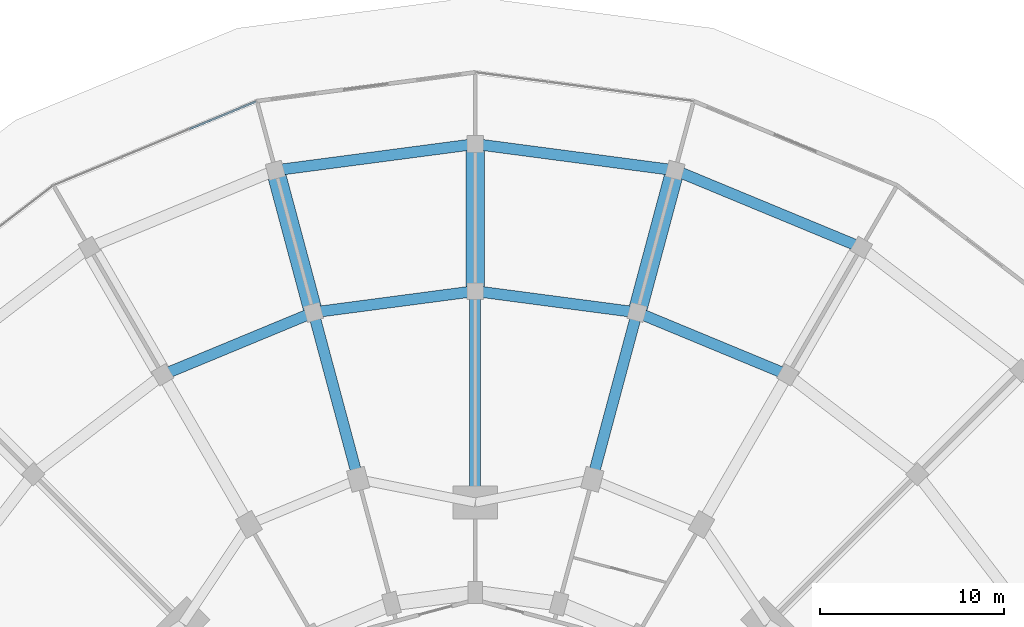
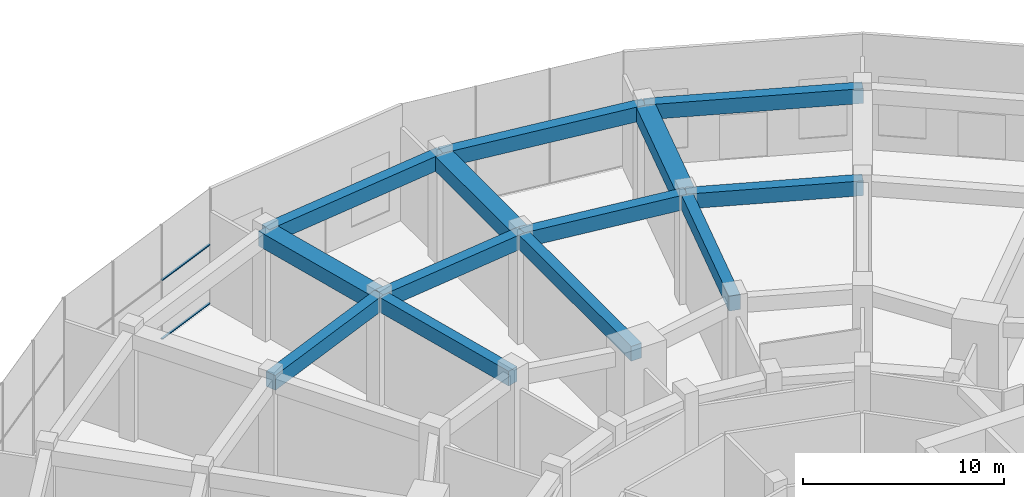
# One storey, part 14 of 31: 13 beams, 2 members, 1 element without a shape of its own.
"""IFC4 building model written with IfcOpenShell, lengths in metres."""

import ifcopenshell
import ifcopenshell.guid

model = None  # the IFC model being written
_history = None  # IfcOwnerHistory: only IFC2X3 demands one
_inside = {}  # id of a spatial element -> (the spatial element, [elements in it])
_under = {}  # id of a project, library or spatial element -> (it, [spatial elements below it])
_declared = {}  # id of a project -> (the project, [libraries it declares])
_typed = {}  # id of a type object -> (the type object, [elements of that type])
_made_of = {}  # id of a material, layer set ... -> (it, [elements and type objects made of it])


def new_model(schema):
    """Start an empty IFC model of exactly this schema.

    Asked for "IFC4X3", IfcOpenShell would pick the latest addendum, in which some entities
    have other attributes; the version numbers below select the first issue.
    IFC2X3 requires an IfcOwnerHistory on every rooted entity: one is made here for all.
    """
    global model, _history
    if schema == "IFC4X3":
        model = ifcopenshell.file(schema_version=(4, 3, 0, 0))
    else:
        model = ifcopenshell.file(schema=schema)
    _inside.clear()
    _under.clear()
    _declared.clear()
    _typed.clear()
    _made_of.clear()
    _history = None
    if model.schema == "IFC2X3":
        org = make("IfcOrganization", Name="unknown")
        user = make(
            "IfcPersonAndOrganization",
            ThePerson=make("IfcPerson", FamilyName="unknown"),
            TheOrganization=org,
        )
        app = make(
            "IfcApplication",
            ApplicationDeveloper=org,
            Version="unknown",
            ApplicationFullName="unknown",
            ApplicationIdentifier="unknown",
        )
        _history = make(
            "IfcOwnerHistory",
            OwningUser=user,
            OwningApplication=app,
            ChangeAction="ADDED",
            CreationDate=0,
        )
    return model


def make(cls, **values):
    """One entity of the class cls with the attributes given. An attribute that is None is left unset."""
    return model.create_entity(
        cls, **{name: value for name, value in values.items() if value is not None}
    )


def rooted(cls, **values):
    """An entity with a GlobalId (a new one), such as an element, a storey or a relation."""
    return make(cls, GlobalId=ifcopenshell.guid.new(), OwnerHistory=_history, **values)


def si_unit(unit_type, name, prefix=None):
    """IfcSIUnit, for example si_unit("LENGTHUNIT", "METRE", prefix="MILLI")."""
    return make("IfcSIUnit", UnitType=unit_type, Prefix=prefix, Name=name)


def assignment(units):
    """IfcUnitAssignment: the units of a project."""
    return None if units is None else make("IfcUnitAssignment", Units=units)


def point(xyz):
    """IfcCartesianPoint."""
    return None if xyz is None else make("IfcCartesianPoint", Coordinates=xyz)


def direction(xyz):
    """IfcDirection."""
    return None if xyz is None else make("IfcDirection", DirectionRatios=xyz)


def frame(location, z_axis=None, x_axis=None):
    """IfcAxis2Placement3D, a coordinate frame: its origin and axes. An axis left out is left unset."""
    return make(
        "IfcAxis2Placement3D",
        Location=point(location),
        Axis=direction(z_axis),
        RefDirection=direction(x_axis),
    )


def frame_2d(location, x_axis=None):
    """IfcAxis2Placement2D, a coordinate frame in the plane: its origin and x axis."""
    return make(
        "IfcAxis2Placement2D", Location=point(location), RefDirection=direction(x_axis)
    )


def origin():
    """The frame at (0, 0, 0) with its axes left unset."""
    return frame((0.0, 0.0, 0.0))


def origin_2d():
    """The frame at (0, 0) in the plane with its x axis left unset."""
    return frame_2d((0.0, 0.0))


def place(relative_to, where):
    """IfcLocalPlacement: puts the frame where relative to a parent placement (None: the world)."""
    return make(
        "IfcLocalPlacement", PlacementRelTo=relative_to, RelativePlacement=where
    )


def context(
    kind, dimensions, precision=None, world=None, true_north=None, identifier=None
):
    """IfcGeometricRepresentationContext, for example the 3D "Model" context."""
    return make(
        "IfcGeometricRepresentationContext",
        ContextIdentifier=identifier,
        ContextType=kind,
        CoordinateSpaceDimension=dimensions,
        Precision=precision,
        WorldCoordinateSystem=world,
        TrueNorth=true_north,
    )


def subcontext(parent, identifier, kind, view, scale=None):
    """IfcGeometricRepresentationSubContext, for example "Body" below "Model"."""
    return make(
        "IfcGeometricRepresentationSubContext",
        ContextIdentifier=identifier,
        ContextType=kind,
        ParentContext=parent,
        TargetScale=scale,
        TargetView=view,
    )


def project(units=None, contexts=None):
    """IfcProject with its units and contexts."""
    return rooted(
        "IfcProject",
        Name="project",
        RepresentationContexts=contexts,
        UnitsInContext=assignment(units),
    )


def spatial(cls, under=None, at=None, **own):
    """A site, building, storey or space (cls), placed at a placement, below another one or the project."""
    s = rooted(cls, ObjectPlacement=at, **own)
    if under is not None:
        _under.setdefault(under.id(), (under, []))[1].append(s)
    return s


def profile(cls, at=None, kind="AREA", **sizes):
    """A parametric profile (cls). Its sizes go by their IFC names, for example OverallWidth=200.0."""
    return make(cls, ProfileType=kind, Position=at, **sizes)


def rectangle(**sizes):
    """IfcRectangleProfileDef."""
    return profile("IfcRectangleProfileDef", **sizes)


def extrude(swept, where, along, depth):
    """IfcExtrudedAreaSolid: the profile swept, set in the frame where, extruded along a direction by depth."""
    return make(
        "IfcExtrudedAreaSolid",
        SweptArea=swept,
        Position=where,
        ExtrudedDirection=direction(along),
        Depth=depth,
    )


def shape(context_of_items, identifier, shape_type, items):
    """IfcShapeRepresentation: the items that make up one representation, for example the "Body"."""
    return make(
        "IfcShapeRepresentation",
        ContextOfItems=context_of_items,
        RepresentationIdentifier=identifier,
        RepresentationType=shape_type,
        Items=items,
    )


def material(Name=None, Category=None):
    """IfcMaterial."""
    return make("IfcMaterial", Name=Name, Category=Category)


def layer(
    of_material, thickness, ventilated=None, Name=None, Category=None, Priority=None
):
    """IfcMaterialLayer: one layer of a wall or slab, of a material (None: an air gap)."""
    return make(
        "IfcMaterialLayer",
        Material=of_material,
        LayerThickness=thickness,
        IsVentilated=ventilated,
        Name=Name,
        Category=Category,
        Priority=Priority,
    )


def layer_set(layers, Name=None):
    """IfcMaterialLayerSet."""
    return make("IfcMaterialLayerSet", MaterialLayers=layers, LayerSetName=Name)


def material_profile(
    of_material, cross_section, Name=None, Category=None, Priority=None
):
    """IfcMaterialProfile: a cross section and its material."""
    return make(
        "IfcMaterialProfile",
        Name=Name,
        Material=of_material,
        Profile=cross_section,
        Priority=Priority,
        Category=Category,
    )


def profile_set(profiles, Name=None, composite=None):
    """IfcMaterialProfileSet."""
    return make(
        "IfcMaterialProfileSet",
        Name=Name,
        MaterialProfiles=profiles,
        CompositeProfile=composite,
    )


def made_of(thing, what):
    """Note that an element or type object is made of a material, layer set ...; save() writes the relation."""
    if what is not None:
        _made_of.setdefault(what.id(), (what, []))[1].append(thing)
    return thing


def type_object(cls, material=None, **own):
    """A type object (cls), such as IfcWallType, which elements share."""
    return made_of(rooted(cls, **own), material)


def element(
    cls,
    number,
    at=None,
    inside=None,
    cuts=None,
    type_object=None,
    material=None,
    context=None,
    identifier="Body",
    shape_type=None,
    held_by="IfcProductDefinitionShape",
    body=None,
    shapes=None,
    **own,
):
    """One element of the class cls, such as IfcWall. Its Tag is "e" and its number.

    at: its placement. inside: the storey or other place that contains it. cuts: it is an
    opening in that element (IfcRelVoidsElement). A single representation is given by context,
    identifier, shape_type and body (its items); several are given by shapes. held_by: the class
    of the entity that holds the representations. save() writes the other relations.
    """
    e = rooted(cls, Tag="e%d" % number, ObjectPlacement=at, **own)
    if body is not None:
        shapes = [shape(context, identifier, shape_type, body)]
    if shapes is not None:
        e.Representation = make(held_by, Representations=shapes)
    if inside is not None:
        _inside.setdefault(inside.id(), (inside, []))[1].append(e)
    if cuts is not None:
        rooted(
            "IfcRelVoidsElement", RelatingBuildingElement=cuts, RelatedOpeningElement=e
        )
    if type_object is not None:
        _typed.setdefault(type_object.id(), (type_object, []))[1].append(e)
    return made_of(e, material)


def aggregate(whole, parts):
    """IfcRelAggregates: a whole, such as a stair, and the parts it consists of."""
    return rooted("IfcRelAggregates", RelatingObject=whole, RelatedObjects=parts)


def save(model, path):
    """Write the relations noted so far, then the file.

    IfcRelAggregates (storeys below a building ...), IfcRelContainedInSpatialStructure (elements
    in a storey), IfcRelDefinesByType, IfcRelAssociatesMaterial and IfcRelDeclares: one each for
    every whole, place, type object, material and project.
    """
    for whole, parts in _under.values():
        aggregate(whole, parts)
    for where, things in _inside.values():
        rooted(
            "IfcRelContainedInSpatialStructure",
            RelatedElements=things,
            RelatingStructure=where,
        )
    for kind, things in _typed.values():
        rooted("IfcRelDefinesByType", RelatedObjects=things, RelatingType=kind)
    for what, things in _made_of.values():
        rooted("IfcRelAssociatesMaterial", RelatedObjects=things, RelatingMaterial=what)
    for by, libraries in _declared.values():
        rooted("IfcRelDeclares", RelatingContext=by, RelatedDefinitions=libraries)
    model.write(path)


model = new_model("IFC4")

# Units and contexts
model_context = context("Model", 3, precision=1e-05, world=origin(), true_north=direction((0.0, 1.0)))
body_context = subcontext(model_context, "Body", "Model", "MODEL_VIEW")
ifc_project = project(units=[si_unit("LENGTHUNIT", "METRE"), si_unit("AREAUNIT", "SQUARE_METRE"), si_unit("VOLUMEUNIT", "CUBIC_METRE"), si_unit("PLANEANGLEUNIT", "RADIAN"), si_unit("MASSUNIT", "GRAM", prefix="KILO")], contexts=[model_context])

# Site, building, storey
site_placement = place(None, origin())
site = spatial("IfcSite", under=ifc_project, at=site_placement, CompositionType="ELEMENT")
building_placement = place(site_placement, origin())
building = spatial("IfcBuilding", under=site, at=building_placement, Name="Torre Brocal", CompositionType="ELEMENT")
storey_placement = place(building_placement, origin())
storey = spatial("IfcBuildingStorey", under=building, at=storey_placement, Name="L00", CompositionType="ELEMENT", Elevation=0.0)

# Curtain wall, members
ifc_material_1 = material(Name="Aluminium and glass", Category="aluminium")
ifc_layer = layer(ifc_material_1, 0.199951171875)
ifc_layer_set = layer_set([ifc_layer], Name="Aluminium and glass")
curtain_wall_type = type_object("IfcCurtainWallType", Name="CW-3 CURTAIN WALL 7000 HIGH", PredefinedType="NOTDEFINED", material=ifc_layer_set)
curtain_wall_placement = place(storey_placement, origin())
curtain_wall = element("IfcCurtainWall", 1, at=curtain_wall_placement, inside=storey, type_object=curtain_wall_type, Name="CW-3 RUN 8", PredefinedType="NOTDEFINED")
ifc_material_2 = material(Name="Aluminium, dark anodised", Category="aluminium")
ifc_material_profile_1 = material_profile(ifc_material_2, rectangle(XDim=0.1201171875, YDim=0.06005859375, at=origin_2d()), Name="CW-3 TRANSOM 120X60")
ifc_profile_set_1 = profile_set([ifc_material_profile_1], Name="Aluminium, dark anodised")
member_type = type_object("IfcMemberType", Name="CW-3 TRANSOM 120X60", PredefinedType="USERDEFINED", material=ifc_profile_set_1)
member_1_placement = place(storey_placement, frame((68.07421875, 119.31591796875, 0.030029296875), z_axis=(-0.92387484386, -0.382694751573, 0.0), x_axis=(0.382694751573, -0.92387484386, 0.0)))
member_1 = element("IfcMember", 2, at=member_1_placement, type_object=member_type, Name="CW3-1 transom 1.1", ObjectType="TRANSOM", PredefinedType="USERDEFINED", context=body_context, shape_type="SweptSolid", body=[
    extrude(rectangle(XDim=0.1201171875, YDim=0.06005859375, at=origin_2d()), origin(), (0.0, 0.0, 1.0), 3.9189453125),
])
member_2_placement = place(storey_placement, frame((68.07421875, 119.31591796875, 3.60009765625), z_axis=(-0.92387484386, -0.382694751573, 0.0), x_axis=(0.382694751573, -0.92387484386, 0.0)))
member_2 = element("IfcMember", 3, at=member_2_placement, type_object=member_type, Name="CW3-1 transom 1.2", ObjectType="TRANSOM", PredefinedType="USERDEFINED", context=body_context, shape_type="SweptSolid", body=[
    extrude(rectangle(XDim=0.1201171875, YDim=0.06005859375, at=origin_2d()), origin(), (0.0, 0.0, 1.0), 3.9189453125),
])
aggregate(curtain_wall, [member_1, member_2])

# Beams
ifc_material_3 = material(Name="Concrete C50", Category="concrete")
ifc_material_profile_2 = material_profile(ifc_material_3, rectangle(XDim=0.60009765625, YDim=0.89990234375, at=origin_2d()), Name="RC 600X900")
ifc_profile_set_2 = profile_set([ifc_material_profile_2], Name="Concrete C50")
beam_type_1 = type_object("IfcBeamType", Name="RC BEAM 600X900 C50 TOP 6550", PredefinedType="BEAM", material=ifc_profile_set_2)
for number, where, z_axis, x_axis, name in (
    (4, (101.0, 111.373046875, 6.10009765625), (-0.923880594648, 0.382680868131, 0.0), (-0.382680868131, -0.923880594648, 0.0), "Beam BT-07"),
    (5, (90.870361328125, 115.56884765625, 6.10009765625), (-0.991444364165, 0.130529968843, 0.0), (-0.130529968843, -0.991444364165, 0.0), "Beam BT-07"),
    (6, (80.0, 117.0, 6.10009765625), (-0.991444364165, -0.130529968843, 0.0), (0.130529968843, -0.991444364165, 0.0), "Beam BT-07"),
):
    element("IfcBeam", number, at=place(storey_placement, frame(where, z_axis=z_axis, x_axis=x_axis)), inside=storey, type_object=beam_type_1, Name=name, PredefinedType="BEAM", context=body_context, shape_type="SweptSolid", body=[
        extrude(rectangle(XDim=0.60009765625, YDim=0.89990234375, at=origin_2d()), origin(), (0.0, 0.0, 1.0), 10.964111328125),
    ])
beam_1_placement = place(storey_placement, frame((97.0, 104.44482421875, 6.10009765625), z_axis=(-0.923875692429, 0.382692703012, 0.0), x_axis=(-0.382692703012, -0.923875692429, 0.0)))
element("IfcBeam", 7, at=beam_1_placement, inside=storey, type_object=beam_type_1, Name="Beam BT-07", PredefinedType="BEAM", context=body_context, shape_type="SweptSolid", body=[
    extrude(rectangle(XDim=0.60009765625, YDim=0.89990234375, at=origin_2d()), origin(), (0.0, 0.0, 1.0), 8.8759765625),
])
for number, where, z_axis, x_axis, name in (
    (8, (88.7998046875, 107.841552734375, 6.10009765625), (-0.991445867372, 0.130518550679, 0.0), (-0.130518550679, -0.991445867372, 0.0), "Beam BT-07"),
    (9, (80.0, 109.0, 6.10009765625), (-0.991445867372, -0.130518550679, 0.0), (0.130518550679, -0.991445867372, 0.0), "Beam BT-07"),
):
    element("IfcBeam", number, at=place(storey_placement, frame(where, z_axis=z_axis, x_axis=x_axis)), inside=storey, type_object=beam_type_1, Name=name, PredefinedType="BEAM", context=body_context, shape_type="SweptSolid", body=[
        extrude(rectangle(XDim=0.60009765625, YDim=0.89990234375, at=origin_2d()), origin(), (0.0, 0.0, 1.0), 8.875732421875),
    ])
beam_2_placement = place(storey_placement, frame((71.2001953125, 107.841552734375, 6.10009765625), z_axis=(-0.923875692429, -0.382692703012, 0.0), x_axis=(0.382692703012, -0.923875692429, 0.0)))
element("IfcBeam", 10, at=beam_2_placement, inside=storey, type_object=beam_type_1, Name="Beam BT-07", PredefinedType="BEAM", context=body_context, shape_type="SweptSolid", body=[
    extrude(rectangle(XDim=0.60009765625, YDim=0.89990234375, at=origin_2d()), origin(), (0.0, 0.0, 1.0), 8.8759765625),
])
beam_3_placement = place(storey_placement, frame((86.366943359375, 98.76171875, 6.10009765625), z_axis=(0.258811813801, 0.965927763881, 0.0), x_axis=(-0.965927763881, 0.258811813801, 0.0)))
element("IfcBeam", 11, at=beam_3_placement, inside=storey, type_object=beam_type_1, Name="Beam BT-07", PredefinedType="BEAM", context=body_context, shape_type="SweptSolid", body=[
    extrude(rectangle(XDim=0.60009765625, YDim=0.89990234375, at=origin_2d()), origin(), (0.0, 0.0, 1.0), 9.400146484375),
])
beam_4_placement = place(storey_placement, frame((80.0, 97.5, 6.10009765625), z_axis=(0.0, 1.0, 0.0), x_axis=(-1.0, 0.0, 0.0)))
element("IfcBeam", 12, at=beam_4_placement, inside=storey, type_object=beam_type_1, Name="Beam BT-07", PredefinedType="BEAM", context=body_context, shape_type="SweptSolid", body=[
    extrude(rectangle(XDim=0.60009765625, YDim=0.89990234375, at=origin_2d()), origin(), (0.0, 0.0, 1.0), 11.5),
])
beam_5_placement = place(storey_placement, frame((73.633056640625, 98.76171875, 6.10009765625), z_axis=(-0.258811813801, 0.965927763881, 0.0), x_axis=(-0.965927763881, -0.258811813801, 0.0)))
element("IfcBeam", 13, at=beam_5_placement, inside=storey, type_object=beam_type_1, Name="Beam BT-07", PredefinedType="BEAM", context=body_context, shape_type="SweptSolid", body=[
    extrude(rectangle(XDim=0.60009765625, YDim=0.89990234375, at=origin_2d()), origin(), (0.0, 0.0, 1.0), 9.400146484375),
])
ifc_material_4 = material(Name="Concrete C60", Category="concrete")
ifc_material_profile_3 = material_profile(ifc_material_4, rectangle(XDim=1.0, YDim=0.89990234375, at=origin_2d()), Name="RC 1000X900")
ifc_profile_set_3 = profile_set([ifc_material_profile_3], Name="Concrete C60")
beam_type_2 = type_object("IfcBeamType", Name="RC TRANSFER GIRDER 1000X900 C60 TOP 6550", PredefinedType="BEAM", material=ifc_profile_set_3)
for number, where, z_axis, x_axis, name in (
    (14, (71.2001953125, 107.841552734375, 6.10009765625), (-0.258823034556, 0.965924757309, 0.0), (-0.965924757309, -0.258823034556, 0.0), "Beam TG-01"),
    (15, (80.0, 109.0, 6.10009765625), (0.0, 1.0, 0.0), (-1.0, 0.0, 0.0), "Beam TG-01"),
    (16, (88.7998046875, 107.841552734375, 6.10009765625), (0.258823034556, 0.965924757309, 0.0), (-0.965924757309, 0.258823034556, 0.0), "Beam TG-01"),
):
    element("IfcBeam", number, at=place(storey_placement, frame(where, z_axis=z_axis, x_axis=x_axis)), inside=storey, type_object=beam_type_2, Name=name, PredefinedType="BEAM", context=body_context, shape_type="SweptSolid", body=[
        extrude(rectangle(XDim=1.0, YDim=0.89990234375, at=origin_2d()), origin(), (0.0, 0.0, 1.0), 8.0),
    ])

save(model, "model.ifc")
